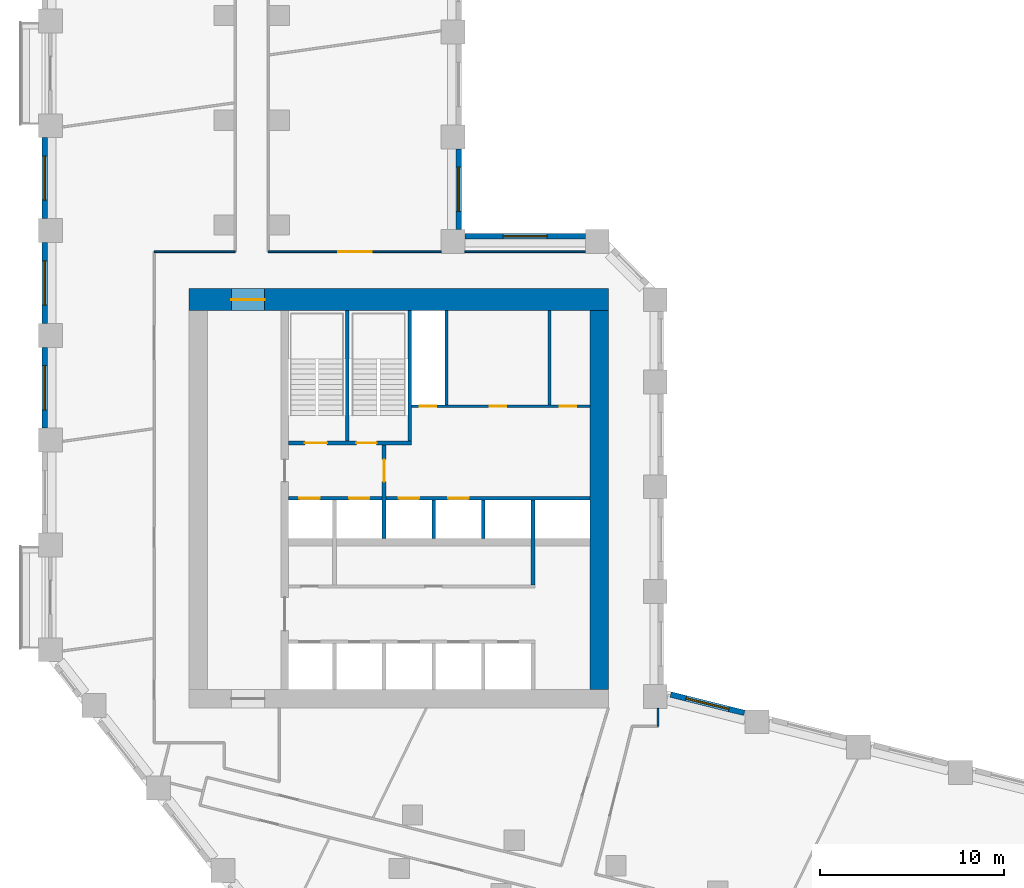
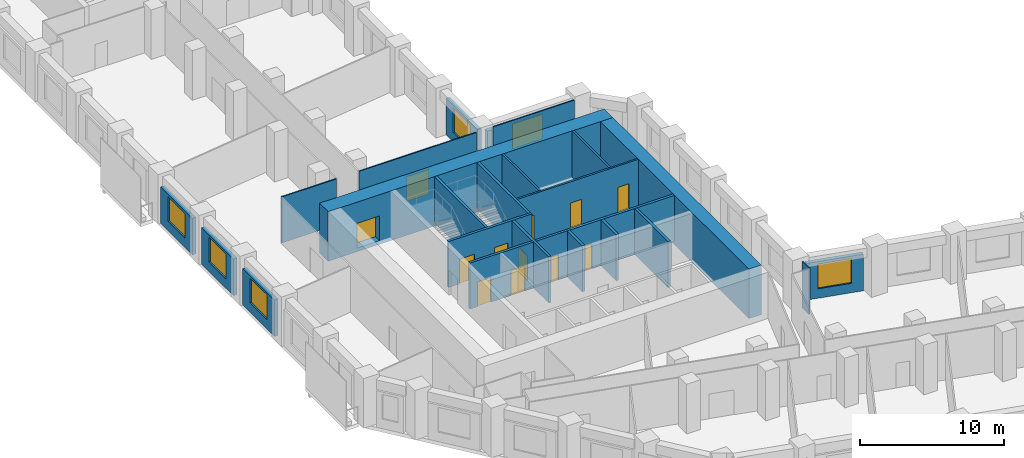
# One storey, part 5 of 11: 23 walls, 12 doors, 6 windows, 18 openings.
"""IFC4 building model written with IfcOpenShell, lengths in metres."""

from ifc_helpers import new_model, si_unit, direction, frame, frame_2d, origin, place, context, subcontext, project, spatial, rectangle, extrude, material, layer, layer_set, type_object, element, fill, save


model = new_model("IFC4")

# Units and contexts
model_context = context("Model", 3, precision=1e-05, world=origin(), true_north=direction((0.0, 1.0)))
body_context = subcontext(model_context, "Body", "Model", "MODEL_VIEW")
ifc_project = project(units=[si_unit("LENGTHUNIT", "METRE"), si_unit("AREAUNIT", "SQUARE_METRE"), si_unit("VOLUMEUNIT", "CUBIC_METRE"), si_unit("PLANEANGLEUNIT", "RADIAN"), si_unit("MASSUNIT", "GRAM", prefix="KILO")], contexts=[model_context])

# Site, building, storey
site_placement = place(None, origin())
site = spatial("IfcSite", under=ifc_project, at=site_placement, CompositionType="ELEMENT")
building_placement = place(site_placement, origin())
building = spatial("IfcBuilding", under=site, at=building_placement, Name="Meshkara Civic Tower", CompositionType="ELEMENT")
storey_placement = place(building_placement, frame((0.0, 0.0, 101.39990234375)))
storey = spatial("IfcBuildingStorey", under=building, at=storey_placement, Name="L22", CompositionType="ELEMENT", Elevation=101.39990234375)

# Wall, openings, doors
ifc_material_1 = material(Name="Blockwork", Category="masonry")
ifc_layer_1 = layer(ifc_material_1, 0.14990234375)
ifc_layer_set_1 = layer_set([ifc_layer_1], Name="Core partition 150")
wall_type_1 = type_object("IfcWallType", Name="Core partition 150", PredefinedType="PARTITIONING", material=ifc_layer_set_1)
wall_1_placement = place(storey_placement, frame((20.10009765625, 30.5, 0.0), z_axis=(0.0, 0.0, 1.0), x_axis=(1.0, 0.0, 0.0)))
wall_1 = element("IfcWall", 1, at=wall_1_placement, inside=storey, type_object=wall_type_1, Name="L22-C010", PredefinedType="PARTITIONING", context=body_context, shape_type="SweptSolid", body=[
    extrude(rectangle(XDim=9.699951171875, YDim=0.14990234375, at=frame_2d((4.85009765625, 0.0))), origin(), (0.0, 0.0, 1.0), 3.900146484375),
])
opening_1_placement = place(wall_1_placement, frame((0.449951171875, 0.0, 0.0)))
opening_1 = element("IfcOpeningElement", 2, at=opening_1_placement, cuts=wall_1, Name="Opening L22-K012", PredefinedType="OPENING", context=body_context, shape_type="SweptSolid", body=[
    extrude(rectangle(XDim=0.89990234375, YDim=2.10009765625, at=frame_2d((0.449951171875, 1.050048828125))), frame((0.0, 0.0849609375, 0.0), z_axis=(0.0, -1.0, 0.0), x_axis=(1.0, 0.0, 0.0)), (0.0, 0.0, 1.0), 0.169921875),
])
opening_2_placement = place(wall_1_placement, frame((4.25, 0.0, 0.0)))
opening_2 = element("IfcOpeningElement", 3, at=opening_2_placement, cuts=wall_1, Name="Opening L22-K013", PredefinedType="OPENING", context=body_context, shape_type="SweptSolid", body=[
    extrude(rectangle(XDim=0.89990234375, YDim=2.10009765625, at=frame_2d((0.449951171875, 1.050048828125))), frame((0.0, 0.0849609375, 0.0), z_axis=(0.0, -1.0, 0.0), x_axis=(1.0, 0.0, 0.0)), (0.0, 0.0, 1.0), 0.169921875),
])
opening_3_placement = place(wall_1_placement, frame((8.050048828125, 0.0, 0.0)))
opening_3 = element("IfcOpeningElement", 4, at=opening_3_placement, cuts=wall_1, Name="Opening L22-K014", PredefinedType="OPENING", context=body_context, shape_type="SweptSolid", body=[
    extrude(rectangle(XDim=0.89990234375, YDim=2.10009765625, at=frame_2d((0.449951171875, 1.050048828125))), frame((0.0, 0.0849609375, 0.0), z_axis=(0.0, -1.0, 0.0), x_axis=(1.0, 0.0, 0.0)), (0.0, 0.0, 1.0), 0.169921875),
])
ifc_material_2 = material(Name="Timber door leaf in steel frame", Category="steel")
door_type_1 = type_object("IfcDoorType", Name="Core room door 900", OperationType="SINGLE_SWING_LEFT", PredefinedType="DOOR", material=ifc_material_2)
door_1_placement = place(opening_2_placement, origin())
door_1 = element("IfcDoor", 5, at=door_1_placement, inside=storey, type_object=door_type_1, Name="L22-K013", OperationType="SINGLE_SWING_RIGHT", OverallHeight=2.10009765625, OverallWidth=0.89990234375, PredefinedType="DOOR", context=body_context, shape_type="SweptSolid", body=[
    extrude(rectangle(XDim=0.89990234375, YDim=2.10009765625, at=frame_2d((0.449951171875, 1.050048828125))), frame((0.0, 0.02490234375, 0.0), z_axis=(0.0, -1.0, 0.0), x_axis=(1.0, 0.0, 0.0)), (0.0, 0.0, 1.0), 0.050048828125),
])
fill(opening_2, door_1)
door_2_placement = place(opening_3_placement, origin())
door_2 = element("IfcDoor", 6, at=door_2_placement, inside=storey, type_object=door_type_1, Name="L22-K014", OperationType="SINGLE_SWING_RIGHT", OverallHeight=2.10009765625, OverallWidth=0.89990234375, PredefinedType="DOOR", context=body_context, shape_type="SweptSolid", body=[
    extrude(rectangle(XDim=0.89990234375, YDim=2.10009765625, at=frame_2d((0.449951171875, 1.050048828125))), frame((0.0, 0.02490234375, 0.0), z_axis=(0.0, -1.0, 0.0), x_axis=(1.0, 0.0, 0.0)), (0.0, 0.0, 1.0), 0.050048828125),
])
fill(opening_3, door_2)
ifc_material_3 = material(Name="Fire-rated door leaf in steel frame", Category="steel")
door_type_2 = type_object("IfcDoorType", Name="Riser door 900", OperationType="SINGLE_SWING_LEFT", PredefinedType="DOOR", material=ifc_material_3)
door_3_placement = place(opening_1_placement, origin())
door_3 = element("IfcDoor", 7, at=door_3_placement, inside=storey, type_object=door_type_2, Name="L22-K012", OperationType="SINGLE_SWING_RIGHT", OverallHeight=2.10009765625, OverallWidth=0.89990234375, PredefinedType="DOOR", context=body_context, shape_type="SweptSolid", body=[
    extrude(rectangle(XDim=0.89990234375, YDim=2.10009765625, at=frame_2d((0.449951171875, 1.050048828125))), frame((0.0, 0.02490234375, 0.0), z_axis=(0.0, -1.0, 0.0), x_axis=(1.0, 0.0, 0.0)), (0.0, 0.0, 1.0), 0.050048828125),
])
fill(opening_1, door_3)

# Walls
for number, where, z_axis, x_axis, name in (
    (8, (22.0, 30.574951171875, 0.0), (0.0, 0.0, 1.0), (0.0, 1.0, 0.0), "L22-C020"),
    (9, (27.60009765625, 30.574951171875, 0.0), (0.0, 0.0, 1.0), (0.0, 1.0, 0.0), "L22-C025"),
):
    element("IfcWall", number, at=place(storey_placement, frame(where, z_axis=z_axis, x_axis=x_axis)), inside=storey, type_object=wall_type_1, Name=name, PredefinedType="PARTITIONING", context=body_context, shape_type="SweptSolid", body=[
        extrude(rectangle(XDim=5.125, YDim=0.14990234375, at=frame_2d((2.5625, 0.0))), origin(), (0.0, 0.0, 1.0), 3.900146484375),
    ])
ifc_material_4 = material(Name="Concrete C70", Category="concrete")
ifc_layer_2 = layer(ifc_material_4, 1.0)
ifc_layer_set_2 = layer_set([ifc_layer_2], Name="Core ring wall 1000 C70")
wall_type_2 = type_object("IfcWallType", Name="Core ring wall 1000 C70", PredefinedType="SHEAR", material=ifc_layer_set_2)
wall_2_placement = place(storey_placement, frame((30.300048828125, 15.10009765625, -0.2998046875), z_axis=(0.0, 0.0, 1.0), x_axis=(0.0, 1.0, 0.0)))
element("IfcWall", 10, at=wall_2_placement, inside=storey, type_object=wall_type_2, Name="L22-C004", PredefinedType="SHEAR", context=body_context, shape_type="SweptSolid", body=[
    extrude(rectangle(XDim=20.599853515625, YDim=1.0, at=frame_2d((10.2998046875, 0.0))), origin(), (0.0, 0.0, 1.0), 4.199951171875),
])

# Wall, opening, door
ifc_material_5 = material(Name="Concrete C70", Category="concrete")
ifc_layer_3 = layer(ifc_material_5, 1.199951171875)
ifc_layer_set_3 = layer_set([ifc_layer_3], Name="Core ring wall 1200 C70")
wall_type_3 = type_object("IfcWallType", Name="Core ring wall 1200 C70", PredefinedType="SHEAR", material=ifc_layer_set_3)
wall_3_placement = place(storey_placement, frame((8.0, 36.300048828125, -0.2998046875), z_axis=(0.0, 0.0, 1.0), x_axis=(1.0, 0.0, 0.0)))
wall_3 = element("IfcWall", 11, at=wall_3_placement, inside=storey, type_object=wall_type_3, Name="L22-C002", PredefinedType="SHEAR", context=body_context, shape_type="SweptSolid", body=[
    extrude(rectangle(XDim=22.800048828125, YDim=1.199951171875, at=frame_2d((11.39990234375, 0.0))), origin(), (0.0, 0.0, 1.0), 4.199951171875),
])
opening_4_placement = place(wall_3_placement, frame((2.300048828125, 0.0, 0.300048828125)))
opening_4 = element("IfcOpeningElement", 12, at=opening_4_placement, cuts=wall_3, Name="Opening L22-K020", PredefinedType="OPENING", context=body_context, shape_type="SweptSolid", body=[
    extrude(rectangle(XDim=1.800048828125, YDim=2.10009765625, at=frame_2d((0.89990234375, 1.050048828125))), frame((0.0, 0.60986328125, 0.0), z_axis=(0.0, -1.0, 0.0), x_axis=(1.0, 0.0, 0.0)), (0.0, 0.0, 1.0), 1.219970703125),
])
ifc_material_6 = material(Name="Fire-rated door leaf in steel frame", Category="steel")
door_type_3 = type_object("IfcDoorType", Name="Core double door 1800 EI 60", OperationType="DOUBLE_DOOR_SINGLE_SWING", PredefinedType="DOOR", material=ifc_material_6)
door_4_placement = place(opening_4_placement, origin())
door_4 = element("IfcDoor", 13, at=door_4_placement, inside=storey, type_object=door_type_3, Name="L22-K020", OperationType="DOUBLE_DOOR_SINGLE_SWING", OverallHeight=2.10009765625, OverallWidth=1.800048828125, PredefinedType="DOOR", context=body_context, shape_type="SweptSolid", body=[
    extrude(rectangle(XDim=1.800048828125, YDim=2.10009765625, at=frame_2d((0.89990234375, 1.050048828125))), frame((0.0, 0.02490234375, 0.0), z_axis=(0.0, -1.0, 0.0), x_axis=(1.0, 0.0, 0.0)), (0.0, 0.0, 1.0), 0.050048828125),
])
fill(opening_4, door_4)

# Wall
ifc_material_7 = material(Name="Corridor wall 100")
ifc_layer_4 = layer(ifc_material_7, 0.10009765625)
ifc_layer_set_4 = layer_set([ifc_layer_4], Name="Corridor wall 100")
wall_type_4 = type_object("IfcWallType", Name="Corridor wall 100", PredefinedType="PARTITIONING", material=ifc_layer_set_4)
wall_4_placement = place(storey_placement, frame((10.5, 38.89990234375, 0.0), z_axis=(0.0, 0.0, 1.0), x_axis=(-1.0, 0.0, 0.0)))
element("IfcWall", 14, at=wall_4_placement, inside=storey, type_object=wall_type_4, Name="L22-W011", PredefinedType="PARTITIONING", context=body_context, shape_type="SweptSolid", body=[
    extrude(rectangle(XDim=4.39990234375, YDim=0.10009765625, at=frame_2d((2.199951171875, 0.0))), origin(), (0.0, 0.0, 1.0), 3.900146484375),
])

# Wall, opening, door
wall_5_placement = place(storey_placement, frame((21.699951171875, 38.89990234375, 0.0), z_axis=(0.0, 0.0, 1.0), x_axis=(-1.0, 0.0, 0.0)))
wall_5 = element("IfcWall", 15, at=wall_5_placement, inside=storey, type_object=wall_type_4, Name="L22-W018", PredefinedType="PARTITIONING", context=body_context, shape_type="SweptSolid", body=[
    extrude(rectangle(XDim=9.39990234375, YDim=0.10009765625, at=frame_2d((4.699951171875, 0.0))), origin(), (0.0, 0.0, 1.0), 3.900146484375),
])
opening_5_placement = place(wall_5_placement, frame((3.780029296875, 0.0, 0.0)))
opening_5 = element("IfcOpeningElement", 16, at=opening_5_placement, cuts=wall_5, Name="Opening L22-D021", PredefinedType="OPENING", context=body_context, shape_type="SweptSolid", body=[
    extrude(rectangle(XDim=1.800048828125, YDim=2.10009765625, at=frame_2d((0.89990234375, 1.050048828125))), frame((0.0, 0.06005859375, 0.0), z_axis=(0.0, -1.0, 0.0), x_axis=(1.0, 0.0, 0.0)), (0.0, 0.0, 1.0), 0.1201171875),
])
ifc_material_8 = material(Name="Door pair 1800 x 2100")
door_type_4 = type_object("IfcDoorType", Name="Door pair 1800 x 2100", OperationType="SINGLE_SWING_LEFT", PredefinedType="DOOR", material=ifc_material_8)
door_5_placement = place(opening_5_placement, origin())
door_5 = element("IfcDoor", 17, at=door_5_placement, inside=storey, type_object=door_type_4, Name="L22-D021", OperationType="DOUBLE_DOOR_SINGLE_SWING", OverallHeight=2.10009765625, OverallWidth=1.800048828125, PredefinedType="DOOR", context=body_context, shape_type="SweptSolid", body=[
    extrude(rectangle(XDim=1.800048828125, YDim=2.10009765625, at=frame_2d((0.89990234375, 1.050048828125))), frame((0.0, 0.02490234375, 0.0), z_axis=(0.0, -1.0, 0.0), x_axis=(1.0, 0.0, 0.0)), (0.0, 0.0, 1.0), 0.050048828125),
])
fill(opening_5, door_5)

# Walls
wall_6_placement = place(storey_placement, frame((29.5439453125, 38.89990234375, 0.0), z_axis=(0.0, 0.0, 1.0), x_axis=(-1.0, 0.0, 0.0)))
element("IfcWall", 18, at=wall_6_placement, inside=storey, type_object=wall_type_4, Name="L22-W019", PredefinedType="PARTITIONING", context=body_context, shape_type="SweptSolid", body=[
    extrude(rectangle(XDim=6.5439453125, YDim=0.10009765625, at=frame_2d((3.27197265625, 0.0))), origin(), (0.0, 0.0, 1.0), 3.900146484375),
])
wall_7_placement = place(storey_placement, frame((33.5, 13.10009765625, 0.0), z_axis=(0.0, 0.0, 1.0), x_axis=(0.0, 1.0, 0.0)))
element("IfcWall", 19, at=wall_7_placement, inside=storey, type_object=wall_type_4, Name="L22-W024", PredefinedType="PARTITIONING", context=body_context, shape_type="SweptSolid", body=[
    extrude(rectangle(XDim=0.968994140625, YDim=0.10009765625, at=frame_2d((0.484375, 0.0))), origin(), (0.0, 0.0, 1.0), 3.900146484375),
])

# Wall, opening, window
ifc_material_9 = material(Name="Insulated infill panel with bronze anodised aluminium cladding", Category="aluminium")
ifc_layer_5 = layer(ifc_material_9, 0.300048828125)
ifc_layer_set_5 = layer_set([ifc_layer_5], Name="EXTERNAL INFILL WALL 300")
wall_type_5 = type_object("IfcWallType", Name="EXTERNAL INFILL WALL 300", PredefinedType="SOLIDWALL", material=ifc_layer_set_5)
wall_8_placement = place(storey_placement, frame((38.18896484375, 13.822021484375, 0.0), z_axis=(0.0, 0.0, 1.0), x_axis=(-0.970281616392, 0.241978480223, 0.0)))
wall_8 = element("IfcWall", 20, at=wall_8_placement, inside=storey, type_object=wall_type_5, Name="External wall", PredefinedType="SOLIDWALL", context=body_context, shape_type="SweptSolid", body=[
    extrude(rectangle(XDim=4.12451171875, YDim=0.300048828125, at=frame_2d((2.062255859375, 0.0))), origin(), (0.0, 0.0, 1.0), 3.10009765625),
])
opening_6_placement = place(wall_8_placement, frame((0.862060546875, 0.0, 0.800048828125)))
opening_6 = element("IfcOpeningElement", 21, at=opening_6_placement, cuts=wall_8, Name="Opening W7", PredefinedType="OPENING", context=body_context, shape_type="SweptSolid", body=[
    extrude(rectangle(XDim=2.39990234375, YDim=2.10009765625, at=frame_2d((1.199951171875, 1.050048828125))), frame((0.0, 0.159912109375, 0.0), z_axis=(0.0, -1.0, 0.0), x_axis=(1.0, 0.0, 0.0)), (0.0, 0.0, 1.0), 0.320068359375),
])
ifc_material_10 = material(Name="Tinted double glazing", Category="glass")
window_type = type_object("IfcWindowType", Name="WINDOW 2400x2100", PartitioningType="DOUBLE_PANEL_VERTICAL", PredefinedType="WINDOW", material=ifc_material_10)
window_1_placement = place(opening_6_placement, origin())
window_1 = element("IfcWindow", 22, at=window_1_placement, inside=storey, type_object=window_type, Name="Window", OverallHeight=2.10009765625, OverallWidth=2.39990234375, PartitioningType="DOUBLE_PANEL_VERTICAL", PredefinedType="WINDOW", context=body_context, shape_type="SweptSolid", body=[
    extrude(rectangle(XDim=2.39990234375, YDim=2.10009765625, at=frame_2d((1.199951171875, 1.050048828125))), frame((0.0, 0.030029296875, 0.0), z_axis=(0.0, -1.0, 0.0), x_axis=(1.0, 0.0, 0.0)), (0.0, 0.0, 1.0), 0.06005859375),
])
fill(opening_6, window_1)

wall_9_placement = place(storey_placement, frame((29.5439453125, 39.75, 0.0), z_axis=(0.0, 0.0, 1.0), x_axis=(-1.0, 0.0, 0.0)))
wall_9 = element("IfcWall", 23, at=wall_9_placement, inside=storey, type_object=wall_type_5, Name="External wall", PredefinedType="SOLIDWALL", context=body_context, shape_type="SweptSolid", body=[
    extrude(rectangle(XDim=6.5439453125, YDim=0.300048828125, at=frame_2d((3.27197265625, 0.0))), origin(), (0.0, 0.0, 1.0), 3.10009765625),
])
opening_7_placement = place(wall_9_placement, frame((2.072021484375, 0.0, 0.800048828125)))
opening_7 = element("IfcOpeningElement", 24, at=opening_7_placement, cuts=wall_9, Name="Opening W7", PredefinedType="OPENING", context=body_context, shape_type="SweptSolid", body=[
    extrude(rectangle(XDim=2.39990234375, YDim=2.10009765625, at=frame_2d((1.199951171875, 1.050048828125))), frame((0.0, 0.159912109375, 0.0), z_axis=(0.0, -1.0, 0.0), x_axis=(1.0, 0.0, 0.0)), (0.0, 0.0, 1.0), 0.320068359375),
])
window_2_placement = place(opening_7_placement, origin())
window_2 = element("IfcWindow", 25, at=window_2_placement, inside=storey, type_object=window_type, Name="Window", OverallHeight=2.10009765625, OverallWidth=2.39990234375, PartitioningType="DOUBLE_PANEL_VERTICAL", PredefinedType="WINDOW", context=body_context, shape_type="SweptSolid", body=[
    extrude(rectangle(XDim=2.39990234375, YDim=2.10009765625, at=frame_2d((1.199951171875, 1.050048828125))), frame((0.0, 0.030029296875, 0.0), z_axis=(0.0, -1.0, 0.0), x_axis=(1.0, 0.0, 0.0)), (0.0, 0.0, 1.0), 0.06005859375),
])
fill(opening_7, window_2)

wall_10_placement = place(storey_placement, frame((22.64990234375, 40.10009765625, 0.0), z_axis=(0.0, 0.0, 1.0), x_axis=(0.0, 1.0, 0.0)))
wall_10 = element("IfcWall", 26, at=wall_10_placement, inside=storey, type_object=wall_type_5, Name="External wall", PredefinedType="SOLIDWALL", context=body_context, shape_type="SweptSolid", body=[
    extrude(rectangle(XDim=4.39990234375, YDim=0.300048828125, at=frame_2d((2.199951171875, 0.0))), origin(), (0.0, 0.0, 1.0), 3.10009765625),
])
opening_8_placement = place(wall_10_placement, frame((1.0, 0.0, 0.800048828125)))
opening_8 = element("IfcOpeningElement", 27, at=opening_8_placement, cuts=wall_10, Name="Opening W7", PredefinedType="OPENING", context=body_context, shape_type="SweptSolid", body=[
    extrude(rectangle(XDim=2.39990234375, YDim=2.10009765625, at=frame_2d((1.199951171875, 1.050048828125))), frame((0.0, 0.159912109375, 0.0), z_axis=(0.0, -1.0, 0.0), x_axis=(1.0, 0.0, 0.0)), (0.0, 0.0, 1.0), 0.320068359375),
])
window_3_placement = place(opening_8_placement, origin())
window_3 = element("IfcWindow", 28, at=window_3_placement, inside=storey, type_object=window_type, Name="Window", OverallHeight=2.10009765625, OverallWidth=2.39990234375, PartitioningType="DOUBLE_PANEL_VERTICAL", PredefinedType="WINDOW", context=body_context, shape_type="SweptSolid", body=[
    extrude(rectangle(XDim=2.39990234375, YDim=2.10009765625, at=frame_2d((1.199951171875, 1.050048828125))), frame((0.0, 0.030029296875, 0.0), z_axis=(0.0, -1.0, 0.0), x_axis=(1.0, 0.0, 0.0)), (0.0, 0.0, 1.0), 0.06005859375),
])
fill(opening_8, window_3)

wall_11_placement = place(storey_placement, frame((0.14990234375, 45.10498046875, 0.0), z_axis=(0.0, 0.0, 1.0), x_axis=(0.0, -1.0, 0.0)))
wall_11 = element("IfcWall", 29, at=wall_11_placement, inside=storey, type_object=wall_type_5, Name="External wall", PredefinedType="SOLIDWALL", context=body_context, shape_type="SweptSolid", body=[
    extrude(rectangle(XDim=4.39990234375, YDim=0.300048828125, at=frame_2d((2.199951171875, 0.0))), origin(), (0.0, 0.0, 1.0), 3.10009765625),
])
opening_9_placement = place(wall_11_placement, frame((1.0, 0.0, 0.800048828125)))
opening_9 = element("IfcOpeningElement", 30, at=opening_9_placement, cuts=wall_11, Name="Opening W7", PredefinedType="OPENING", context=body_context, shape_type="SweptSolid", body=[
    extrude(rectangle(XDim=2.39990234375, YDim=2.10009765625, at=frame_2d((1.199951171875, 1.050048828125))), frame((0.0, 0.159912109375, 0.0), z_axis=(0.0, -1.0, 0.0), x_axis=(1.0, 0.0, 0.0)), (0.0, 0.0, 1.0), 0.320068359375),
])
window_4_placement = place(opening_9_placement, origin())
window_4 = element("IfcWindow", 31, at=window_4_placement, inside=storey, type_object=window_type, Name="Window", OverallHeight=2.10009765625, OverallWidth=2.39990234375, PartitioningType="DOUBLE_PANEL_VERTICAL", PredefinedType="WINDOW", context=body_context, shape_type="SweptSolid", body=[
    extrude(rectangle(XDim=2.39990234375, YDim=2.10009765625, at=frame_2d((1.199951171875, 1.050048828125))), frame((0.0, 0.030029296875, 0.0), z_axis=(0.0, -1.0, 0.0), x_axis=(1.0, 0.0, 0.0)), (0.0, 0.0, 1.0), 0.06005859375),
])
fill(opening_9, window_4)

wall_12_placement = place(storey_placement, frame((0.14990234375, 39.405029296875, 0.0), z_axis=(0.0, 0.0, 1.0), x_axis=(0.0, -1.0, 0.0)))
wall_12 = element("IfcWall", 32, at=wall_12_placement, inside=storey, type_object=wall_type_5, Name="External wall", PredefinedType="SOLIDWALL", context=body_context, shape_type="SweptSolid", body=[
    extrude(rectangle(XDim=4.400146484375, YDim=0.300048828125, at=frame_2d((2.2001953125, 0.0))), origin(), (0.0, 0.0, 1.0), 3.10009765625),
])
opening_10_placement = place(wall_12_placement, frame((1.0, 0.0, 0.800048828125)))
opening_10 = element("IfcOpeningElement", 33, at=opening_10_placement, cuts=wall_12, Name="Opening W7", PredefinedType="OPENING", context=body_context, shape_type="SweptSolid", body=[
    extrude(rectangle(XDim=2.39990234375, YDim=2.10009765625, at=frame_2d((1.199951171875, 1.050048828125))), frame((0.0, 0.159912109375, 0.0), z_axis=(0.0, -1.0, 0.0), x_axis=(1.0, 0.0, 0.0)), (0.0, 0.0, 1.0), 0.320068359375),
])
window_5_placement = place(opening_10_placement, origin())
window_5 = element("IfcWindow", 34, at=window_5_placement, inside=storey, type_object=window_type, Name="Window", OverallHeight=2.10009765625, OverallWidth=2.39990234375, PartitioningType="DOUBLE_PANEL_VERTICAL", PredefinedType="WINDOW", context=body_context, shape_type="SweptSolid", body=[
    extrude(rectangle(XDim=2.39990234375, YDim=2.10009765625, at=frame_2d((1.199951171875, 1.050048828125))), frame((0.0, 0.030029296875, 0.0), z_axis=(0.0, -1.0, 0.0), x_axis=(1.0, 0.0, 0.0)), (0.0, 0.0, 1.0), 0.06005859375),
])
fill(opening_10, window_5)

wall_13_placement = place(storey_placement, frame((0.14990234375, 33.705078125, 0.0), z_axis=(0.0, 0.0, 1.0), x_axis=(0.0, -1.0, 0.0)))
wall_13 = element("IfcWall", 35, at=wall_13_placement, inside=storey, type_object=wall_type_5, Name="External wall", PredefinedType="SOLIDWALL", context=body_context, shape_type="SweptSolid", body=[
    extrude(rectangle(XDim=4.400146484375, YDim=0.300048828125, at=frame_2d((2.2001953125, 0.0))), origin(), (0.0, 0.0, 1.0), 3.10009765625),
])
opening_11_placement = place(wall_13_placement, frame((1.0, 0.0, 0.800048828125)))
opening_11 = element("IfcOpeningElement", 36, at=opening_11_placement, cuts=wall_13, Name="Opening W7", PredefinedType="OPENING", context=body_context, shape_type="SweptSolid", body=[
    extrude(rectangle(XDim=2.39990234375, YDim=2.10009765625, at=frame_2d((1.199951171875, 1.050048828125))), frame((0.0, 0.159912109375, 0.0), z_axis=(0.0, -1.0, 0.0), x_axis=(1.0, 0.0, 0.0)), (0.0, 0.0, 1.0), 0.320068359375),
])
window_6_placement = place(opening_11_placement, origin())
window_6 = element("IfcWindow", 37, at=window_6_placement, inside=storey, type_object=window_type, Name="Window", OverallHeight=2.10009765625, OverallWidth=2.39990234375, PartitioningType="DOUBLE_PANEL_VERTICAL", PredefinedType="WINDOW", context=body_context, shape_type="SweptSolid", body=[
    extrude(rectangle(XDim=2.39990234375, YDim=2.10009765625, at=frame_2d((1.199951171875, 1.050048828125))), frame((0.0, 0.030029296875, 0.0), z_axis=(0.0, -1.0, 0.0), x_axis=(1.0, 0.0, 0.0)), (0.0, 0.0, 1.0), 0.06005859375),
])
fill(opening_11, window_6)

# Wall, openings, doors
ifc_material_11 = material(Name="Concrete C40/50", Category="concrete")
ifc_layer_6 = layer(ifc_material_11, 0.199951171875)
ifc_layer_set_6 = layer_set([ifc_layer_6], Name="Shaft wall 200 C40/50")
wall_type_6 = type_object("IfcWallType", Name="Shaft wall 200 C40/50", PredefinedType="SOLIDWALL", material=ifc_layer_set_6)
wall_14_placement = place(storey_placement, frame((13.39990234375, 25.5, 0.0), z_axis=(0.0, 0.0, 1.0), x_axis=(1.0, 0.0, 0.0)))
wall_14 = element("IfcWall", 38, at=wall_14_placement, inside=storey, type_object=wall_type_6, Name="L22-C008", PredefinedType="SOLIDWALL", context=body_context, shape_type="SweptSolid", body=[
    extrude(rectangle(XDim=16.400146484375, YDim=0.199951171875, at=frame_2d((8.2001953125, 0.0))), origin(), (0.0, 0.0, 1.0), 3.900146484375),
])
opening_12_placement = place(wall_14_placement, frame((0.60009765625, 0.0, 0.0)))
opening_12 = element("IfcOpeningElement", 39, at=opening_12_placement, cuts=wall_14, Name="Opening L22-K006", PredefinedType="OPENING", context=body_context, shape_type="SweptSolid", body=[
    extrude(rectangle(XDim=1.10009765625, YDim=2.10009765625, at=frame_2d((0.550048828125, 1.050048828125))), frame((0.0, 0.10986328125, 0.0), z_axis=(0.0, -1.0, 0.0), x_axis=(1.0, 0.0, 0.0)), (0.0, 0.0, 1.0), 0.219970703125),
])
opening_13_placement = place(wall_14_placement, frame((3.300048828125, 0.0, 0.0)))
opening_13 = element("IfcOpeningElement", 40, at=opening_13_placement, cuts=wall_14, Name="Opening L22-K007", PredefinedType="OPENING", context=body_context, shape_type="SweptSolid", body=[
    extrude(rectangle(XDim=1.10009765625, YDim=2.10009765625, at=frame_2d((0.550048828125, 1.050048828125))), frame((0.0, 0.10986328125, 0.0), z_axis=(0.0, -1.0, 0.0), x_axis=(1.0, 0.0, 0.0)), (0.0, 0.0, 1.0), 0.219970703125),
])
opening_14_placement = place(wall_14_placement, frame((6.0, 0.0, 0.0)))
opening_14 = element("IfcOpeningElement", 41, at=opening_14_placement, cuts=wall_14, Name="Opening L22-K008", PredefinedType="OPENING", context=body_context, shape_type="SweptSolid", body=[
    extrude(rectangle(XDim=1.10009765625, YDim=2.10009765625, at=frame_2d((0.550048828125, 1.050048828125))), frame((0.0, 0.10986328125, 0.0), z_axis=(0.0, -1.0, 0.0), x_axis=(1.0, 0.0, 0.0)), (0.0, 0.0, 1.0), 0.219970703125),
])
opening_15_placement = place(wall_14_placement, frame((8.699951171875, 0.0, 0.0)))
opening_15 = element("IfcOpeningElement", 42, at=opening_15_placement, cuts=wall_14, Name="Opening L22-K009", PredefinedType="OPENING", context=body_context, shape_type="SweptSolid", body=[
    extrude(rectangle(XDim=1.10009765625, YDim=2.10009765625, at=frame_2d((0.550048828125, 1.050048828125))), frame((0.0, 0.10986328125, 0.0), z_axis=(0.0, -1.0, 0.0), x_axis=(1.0, 0.0, 0.0)), (0.0, 0.0, 1.0), 0.219970703125),
])
ifc_material_12 = material(Name="Stainless steel landing door", Category="steel")
door_type_5 = type_object("IfcDoorType", Name="Lift landing door 1100", OperationType="SLIDING_TO_LEFT", PredefinedType="DOOR", material=ifc_material_12)
door_6_placement = place(opening_12_placement, origin())
door_6 = element("IfcDoor", 43, at=door_6_placement, inside=storey, type_object=door_type_5, Name="L22-K006", OperationType="SLIDING_TO_LEFT", OverallHeight=2.10009765625, OverallWidth=1.10009765625, PredefinedType="DOOR", context=body_context, shape_type="SweptSolid", body=[
    extrude(rectangle(XDim=1.10009765625, YDim=2.10009765625, at=frame_2d((0.550048828125, 1.050048828125))), frame((0.0, 0.02490234375, 0.0), z_axis=(0.0, -1.0, 0.0), x_axis=(1.0, 0.0, 0.0)), (0.0, 0.0, 1.0), 0.050048828125),
])
fill(opening_12, door_6)
door_7_placement = place(opening_13_placement, origin())
door_7 = element("IfcDoor", 44, at=door_7_placement, inside=storey, type_object=door_type_5, Name="L22-K007", OperationType="SLIDING_TO_LEFT", OverallHeight=2.10009765625, OverallWidth=1.10009765625, PredefinedType="DOOR", context=body_context, shape_type="SweptSolid", body=[
    extrude(rectangle(XDim=1.10009765625, YDim=2.10009765625, at=frame_2d((0.550048828125, 1.050048828125))), frame((0.0, 0.02490234375, 0.0), z_axis=(0.0, -1.0, 0.0), x_axis=(1.0, 0.0, 0.0)), (0.0, 0.0, 1.0), 0.050048828125),
])
fill(opening_13, door_7)
door_8_placement = place(opening_14_placement, origin())
door_8 = element("IfcDoor", 45, at=door_8_placement, inside=storey, type_object=door_type_5, Name="L22-K008", OperationType="SLIDING_TO_LEFT", OverallHeight=2.10009765625, OverallWidth=1.10009765625, PredefinedType="DOOR", context=body_context, shape_type="SweptSolid", body=[
    extrude(rectangle(XDim=1.10009765625, YDim=2.10009765625, at=frame_2d((0.550048828125, 1.050048828125))), frame((0.0, 0.02490234375, 0.0), z_axis=(0.0, -1.0, 0.0), x_axis=(1.0, 0.0, 0.0)), (0.0, 0.0, 1.0), 0.050048828125),
])
fill(opening_14, door_8)
door_9_placement = place(opening_15_placement, origin())
door_9 = element("IfcDoor", 46, at=door_9_placement, inside=storey, type_object=door_type_5, Name="L22-K009", OperationType="SLIDING_TO_LEFT", OverallHeight=2.10009765625, OverallWidth=1.10009765625, PredefinedType="DOOR", context=body_context, shape_type="SweptSolid", body=[
    extrude(rectangle(XDim=1.10009765625, YDim=2.10009765625, at=frame_2d((0.550048828125, 1.050048828125))), frame((0.0, 0.02490234375, 0.0), z_axis=(0.0, -1.0, 0.0), x_axis=(1.0, 0.0, 0.0)), (0.0, 0.0, 1.0), 0.050048828125),
])
fill(opening_15, door_9)

# Wall, opening, door
wall_15_placement = place(storey_placement, frame((18.60009765625, 23.300048828125, 0.0), z_axis=(0.0, 0.0, 1.0), x_axis=(0.0, 1.0, 0.0)))
wall_15 = element("IfcWall", 47, at=wall_15_placement, inside=storey, type_object=wall_type_6, Name="L22-C016", PredefinedType="SOLIDWALL", context=body_context, shape_type="SweptSolid", body=[
    extrude(rectangle(XDim=5.099853515625, YDim=0.199951171875, at=frame_2d((2.5498046875, 0.0))), origin(), (0.0, 0.0, 1.0), 3.900146484375),
])
opening_16_placement = place(wall_15_placement, frame((3.10009765625, 0.0, 0.0)))
opening_16 = element("IfcOpeningElement", 48, at=opening_16_placement, cuts=wall_15, Name="Opening L22-K019", PredefinedType="OPENING", context=body_context, shape_type="SweptSolid", body=[
    extrude(rectangle(XDim=1.199951171875, YDim=2.10009765625, at=frame_2d((0.60009765625, 1.050048828125))), frame((0.0, 0.10986328125, 0.0), z_axis=(0.0, -1.0, 0.0), x_axis=(1.0, 0.0, 0.0)), (0.0, 0.0, 1.0), 0.219970703125),
])
ifc_material_13 = material(Name="Fire-rated door leaf in steel frame", Category="steel")
door_type_6 = type_object("IfcDoorType", Name="Fire-fighting lobby door 1200 EI 120", OperationType="SINGLE_SWING_LEFT", PredefinedType="DOOR", material=ifc_material_13)
door_10_placement = place(opening_16_placement, origin())
door_10 = element("IfcDoor", 49, at=door_10_placement, inside=storey, type_object=door_type_6, Name="L22-K019", OperationType="SINGLE_SWING_RIGHT", OverallHeight=2.10009765625, OverallWidth=1.199951171875, PredefinedType="DOOR", context=body_context, shape_type="SweptSolid", body=[
    extrude(rectangle(XDim=1.199951171875, YDim=2.10009765625, at=frame_2d((0.60009765625, 1.050048828125))), frame((0.0, 0.02490234375, 0.0), z_axis=(0.0, -1.0, 0.0), x_axis=(1.0, 0.0, 0.0)), (0.0, 0.0, 1.0), 0.050048828125),
])
fill(opening_16, door_10)

# Walls
for number, where, z_axis, x_axis, name in (
    (50, (21.300048828125, 23.300048828125, 0.0), (0.0, 0.0, 1.0), (0.0, 1.0, 0.0), "L22-C019"),
    (51, (24.0, 23.300048828125, 0.0), (0.0, 0.0, 1.0), (0.0, 1.0, 0.0), "L22-C022"),
):
    element("IfcWall", number, at=place(storey_placement, frame(where, z_axis=z_axis, x_axis=x_axis)), inside=storey, type_object=wall_type_6, Name=name, PredefinedType="SOLIDWALL", context=body_context, shape_type="SweptSolid", body=[
        extrude(rectangle(XDim=2.099853515625, YDim=0.199951171875, at=frame_2d((1.0498046875, 0.0))), origin(), (0.0, 0.0, 1.0), 3.900146484375),
    ])
wall_16_placement = place(storey_placement, frame((26.699951171875, 20.77490234375, 0.0), z_axis=(0.0, 0.0, 1.0), x_axis=(0.0, 1.0, 0.0)))
element("IfcWall", 52, at=wall_16_placement, inside=storey, type_object=wall_type_6, Name="L22-C024", PredefinedType="SOLIDWALL", context=body_context, shape_type="SweptSolid", body=[
    extrude(rectangle(XDim=4.625, YDim=0.199951171875, at=frame_2d((2.3125, 0.0))), origin(), (0.0, 0.0, 1.0), 3.900146484375),
])

# Wall, openings, doors
ifc_material_14 = material(Name="Concrete C40/50", Category="concrete")
ifc_layer_7 = layer(ifc_material_14, 0.199951171875)
ifc_layer_set_7 = layer_set([ifc_layer_7], Name="Stair enclosure wall 200 C40/50")
wall_type_7 = type_object("IfcWallType", Name="Stair enclosure wall 200 C40/50", PredefinedType="SOLIDWALL", material=ifc_layer_set_7)
wall_17_placement = place(storey_placement, frame((13.39990234375, 28.5, 0.0), z_axis=(0.0, 0.0, 1.0), x_axis=(1.0, 0.0, 0.0)))
wall_17 = element("IfcWall", 53, at=wall_17_placement, inside=storey, type_object=wall_type_7, Name="L22-C009", PredefinedType="SOLIDWALL", context=body_context, shape_type="SweptSolid", body=[
    extrude(rectangle(XDim=6.7001953125, YDim=0.199951171875, at=frame_2d((3.35009765625, 0.0))), origin(), (0.0, 0.0, 1.0), 3.900146484375),
])
opening_17_placement = place(wall_17_placement, frame((0.89990234375, 0.0, 0.0)))
opening_17 = element("IfcOpeningElement", 54, at=opening_17_placement, cuts=wall_17, Name="Opening L22-K015", PredefinedType="OPENING", context=body_context, shape_type="SweptSolid", body=[
    extrude(rectangle(XDim=1.199951171875, YDim=2.10009765625, at=frame_2d((0.60009765625, 1.050048828125))), frame((0.0, 0.10986328125, 0.0), z_axis=(0.0, -1.0, 0.0), x_axis=(1.0, 0.0, 0.0)), (0.0, 0.0, 1.0), 0.219970703125),
])
opening_18_placement = place(wall_17_placement, frame((3.699951171875, 0.0, 0.0)))
opening_18 = element("IfcOpeningElement", 55, at=opening_18_placement, cuts=wall_17, Name="Opening L22-K016", PredefinedType="OPENING", context=body_context, shape_type="SweptSolid", body=[
    extrude(rectangle(XDim=1.10009765625, YDim=2.10009765625, at=frame_2d((0.550048828125, 1.050048828125))), frame((0.0, 0.10986328125, 0.0), z_axis=(0.0, -1.0, 0.0), x_axis=(1.0, 0.0, 0.0)), (0.0, 0.0, 1.0), 0.219970703125),
])
ifc_material_15 = material(Name="Fire-rated door leaf in steel frame", Category="steel")
door_type_7 = type_object("IfcDoorType", Name="Stair door 1100 EI 120", OperationType="SINGLE_SWING_LEFT", PredefinedType="DOOR", material=ifc_material_15)
door_11_placement = place(opening_18_placement, origin())
door_11 = element("IfcDoor", 56, at=door_11_placement, inside=storey, type_object=door_type_7, Name="L22-K016", OperationType="SINGLE_SWING_LEFT", OverallHeight=2.10009765625, OverallWidth=1.10009765625, PredefinedType="DOOR", context=body_context, shape_type="SweptSolid", body=[
    extrude(rectangle(XDim=1.10009765625, YDim=2.10009765625, at=frame_2d((0.550048828125, 1.050048828125))), frame((0.0, 0.02490234375, 0.0), z_axis=(0.0, -1.0, 0.0), x_axis=(1.0, 0.0, 0.0)), (0.0, 0.0, 1.0), 0.050048828125),
])
fill(opening_18, door_11)
ifc_material_16 = material(Name="Fire-rated door leaf in steel frame", Category="steel")
door_type_8 = type_object("IfcDoorType", Name="Stair door 1200 EI 120", OperationType="SINGLE_SWING_LEFT", PredefinedType="DOOR", material=ifc_material_16)
door_12_placement = place(opening_17_placement, origin())
door_12 = element("IfcDoor", 57, at=door_12_placement, inside=storey, type_object=door_type_8, Name="L22-K015", OperationType="SINGLE_SWING_RIGHT", OverallHeight=2.10009765625, OverallWidth=1.199951171875, PredefinedType="DOOR", context=body_context, shape_type="SweptSolid", body=[
    extrude(rectangle(XDim=1.199951171875, YDim=2.10009765625, at=frame_2d((0.60009765625, 1.050048828125))), frame((0.0, 0.02490234375, 0.0), z_axis=(0.0, -1.0, 0.0), x_axis=(1.0, 0.0, 0.0)), (0.0, 0.0, 1.0), 0.050048828125),
])
fill(opening_17, door_12)

# Walls
for number, where, z_axis, x_axis, name in (
    (58, (16.60009765625, 28.60009765625, 0.0), (0.0, 0.0, 1.0), (0.0, 1.0, 0.0), "L22-C014"),
    (59, (20.0, 28.60009765625, 0.0), (0.0, 0.0, 1.0), (0.0, 1.0, 0.0), "L22-C017"),
):
    element("IfcWall", number, at=place(storey_placement, frame(where, z_axis=z_axis, x_axis=x_axis)), inside=storey, type_object=wall_type_7, Name=name, PredefinedType="SOLIDWALL", context=body_context, shape_type="SweptSolid", body=[
        extrude(rectangle(XDim=7.099853515625, YDim=0.199951171875, at=frame_2d((3.5498046875, 0.0))), origin(), (0.0, 0.0, 1.0), 3.900146484375),
    ])

save(model, "model.ifc")
